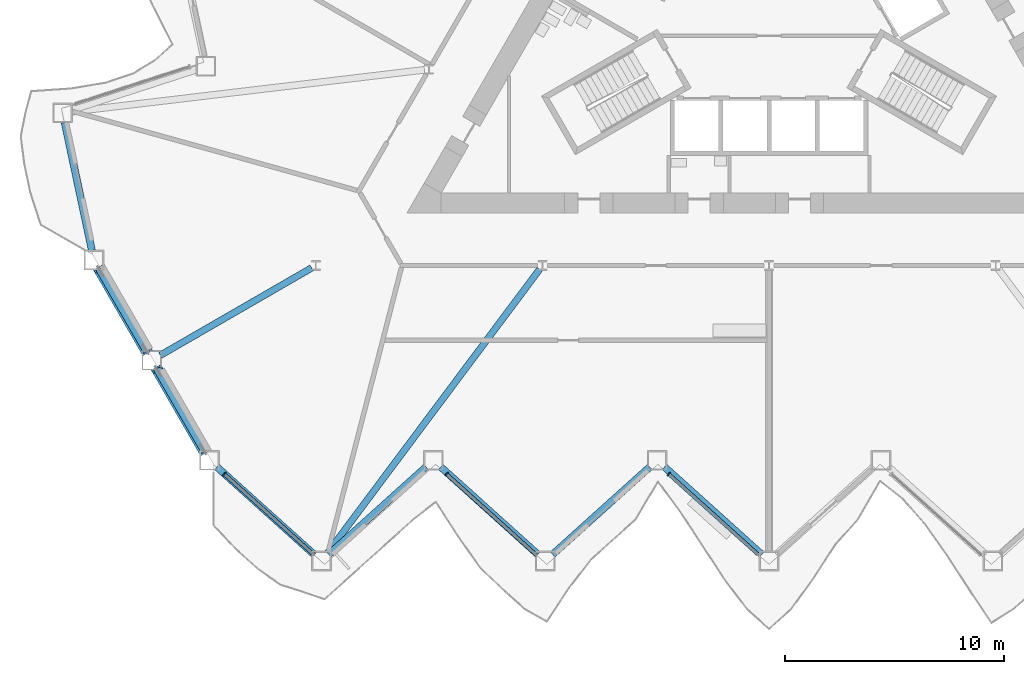
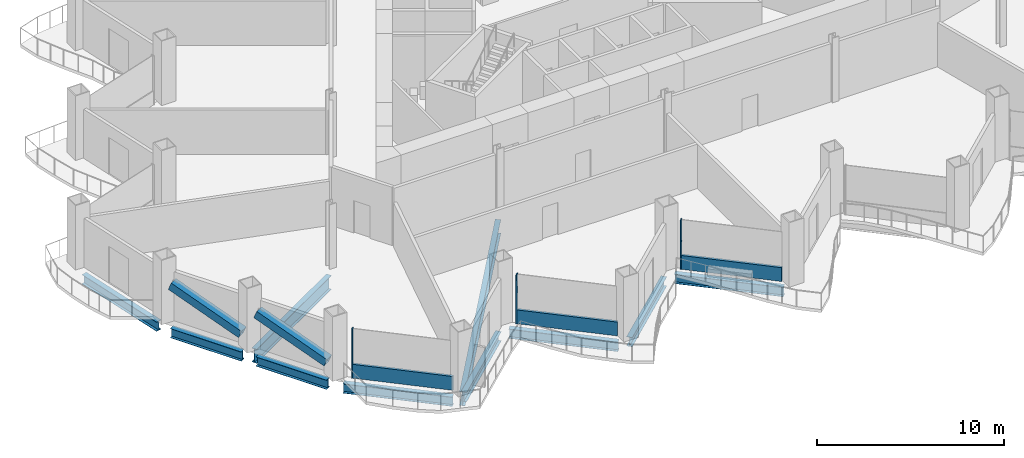
# One storey, part 3 of 21: 10 beams, 8 members, 3 elements without a shape of their own.
"""IFC4 building model written with IfcOpenShell, lengths in metres."""

from ifc_helpers import new_model, si_unit, direction, frame, origin, origin_2d, place, context, subcontext, project, spatial, rectangle, hollow_rectangle, i_section, extrude, material, layer, layer_set, material_profile, profile_set, type_object, element, aggregate, save


model = new_model("IFC4")

# Units and contexts
model_context = context("Model", 3, precision=1e-05, world=origin(), true_north=direction((0.0, 1.0)))
body_context = subcontext(model_context, "Body", "Model", "MODEL_VIEW")
ifc_project = project(units=[si_unit("LENGTHUNIT", "METRE"), si_unit("AREAUNIT", "SQUARE_METRE"), si_unit("VOLUMEUNIT", "CUBIC_METRE"), si_unit("PLANEANGLEUNIT", "RADIAN"), si_unit("MASSUNIT", "GRAM", prefix="KILO")], contexts=[model_context])

# Site, building, storey
site_placement = place(None, origin())
site = spatial("IfcSite", under=ifc_project, at=site_placement, CompositionType="ELEMENT")
building_placement = place(site_placement, origin())
building = spatial("IfcBuilding", under=site, at=building_placement, Name="Cormorant Prow Tower", CompositionType="ELEMENT")
storey_placement = place(building_placement, frame((0.0, 0.0, 141.60009765625)))
storey = spatial("IfcBuildingStorey", under=building, at=storey_placement, Name="L30", CompositionType="ELEMENT", Elevation=141.60009765625)

# Members
ifc_material_1 = material(Name="Structural steel ASTM A500 Gr C", Category="steel")
ifc_material_profile_1 = material_profile(ifc_material_1, hollow_rectangle(XDim=0.508056640625, YDim=0.508056640625, WallThickness=0.014892578125, at=origin_2d()), Name="HSS20x20x5/8")
ifc_profile_set_1 = profile_set([ifc_material_profile_1], Name="Structural steel ASTM A500 Gr C")
member_type_1 = type_object("IfcMemberType", Name="Chamfer brace HSS20x20x5/8", PredefinedType="BRACE", material=ifc_profile_set_1)
for number, where, z_axis, x_axis, name in (
    (1, (-28.368408203125, -15.83837890625, 0.7763671875), (-0.467775966243, 0.810228448064, 0.353150828052), (-0.866029868417, -0.499992266949, 0.0), "Chamfer brace BR1 at WSW00 L30"),
    (2, (-25.733642578125, -20.402099609375, 0.7763671875), (-0.467775966243, 0.810228448064, 0.353150828052), (-0.866029868417, -0.499992266949, 0.0), "Chamfer brace BR1 at WSW01 L30"),
):
    element("IfcMember", number, at=place(storey_placement, frame(where, z_axis=z_axis, x_axis=x_axis)), inside=storey, type_object=member_type_1, Name=name, PredefinedType="BRACE", context=body_context, shape_type="SweptSolid", body=[
        extrude(hollow_rectangle(XDim=0.508056640625, YDim=0.508056640625, WallThickness=0.014892578125, at=origin_2d()), origin(), (0.0, 0.0, 1.0), 4.632568359375),
    ])

# Curtain wall, member
ifc_material_2 = material(Name="Aluminium 6063-T6", Category="aluminium")
ifc_layer = layer(ifc_material_2, 0.199951171875)
ifc_layer_set = layer_set([ifc_layer], Name="Aluminium 6063-T6")
curtain_wall_type = type_object("IfcCurtainWallType", Name="Office unitised curtain wall 200", PredefinedType="NOTDEFINED", material=ifc_layer_set)
curtain_wall_1_placement = place(storey_placement, origin())
curtain_wall_1 = element("IfcCurtainWall", 3, at=curtain_wall_1_placement, inside=storey, type_object=curtain_wall_type, Name="Office curtain wall S00", PredefinedType="NOTDEFINED")
ifc_material_3 = material(Name="Aluminium 6063-T6", Category="aluminium")
ifc_material_profile_2 = material_profile(ifc_material_3, rectangle(XDim=0.199951171875, YDim=0.06005859375, at=origin_2d()), Name="Office mullion 60x200")
ifc_profile_set_2 = profile_set([ifc_material_profile_2], Name="Aluminium 6063-T6")
member_type_2 = type_object("IfcMemberType", Name="Office mullion 60x200", PredefinedType="MULLION", material=ifc_profile_set_2)
member_1_placement = place(storey_placement, frame((-24.82763671875, -21.43359375, 0.0), z_axis=(0.0, 0.0, 1.0), x_axis=(0.669130582818, 0.743144846674, 0.0)))
member_1 = element("IfcMember", 4, at=member_1_placement, type_object=member_type_2, Name="Office mullion S00", PredefinedType="MULLION", context=body_context, shape_type="SweptSolid", body=[
    extrude(rectangle(XDim=0.199951171875, YDim=0.06005859375, at=origin_2d()), origin(), (0.0, 0.0, 1.0), 3.188720703125),
])

curtain_wall_2_placement = place(storey_placement, origin())
curtain_wall_2 = element("IfcCurtainWall", 5, at=curtain_wall_2_placement, inside=storey, type_object=curtain_wall_type, Name="Office curtain wall S02", PredefinedType="NOTDEFINED")
member_2_placement = place(storey_placement, frame((-14.69873046875, -21.43359375, 0.0), z_axis=(0.0, 0.0, 1.0), x_axis=(0.66913050986, 0.743144912366, 0.0)))
member_2 = element("IfcMember", 6, at=member_2_placement, type_object=member_type_2, Name="Office mullion S02", PredefinedType="MULLION", context=body_context, shape_type="SweptSolid", body=[
    extrude(rectangle(XDim=0.199951171875, YDim=0.06005859375, at=origin_2d()), origin(), (0.0, 0.0, 1.0), 3.188720703125),
])

curtain_wall_3_placement = place(storey_placement, origin())
curtain_wall_3 = element("IfcCurtainWall", 7, at=curtain_wall_3_placement, inside=storey, type_object=curtain_wall_type, Name="Office curtain wall S04", PredefinedType="NOTDEFINED")
member_3_placement = place(storey_placement, frame((-4.569580078125, -21.43359375, 0.0), z_axis=(0.0, 0.0, 1.0), x_axis=(0.669130582818, 0.743144846674, 0.0)))
member_3 = element("IfcMember", 8, at=member_3_placement, type_object=member_type_2, Name="Office mullion S04", PredefinedType="MULLION", context=body_context, shape_type="SweptSolid", body=[
    extrude(rectangle(XDim=0.199951171875, YDim=0.06005859375, at=origin_2d()), origin(), (0.0, 0.0, 1.0), 3.188720703125),
])

# Member
ifc_material_4 = material(Name="Terracotta", Category="masonry")
ifc_material_profile_3 = material_profile(ifc_material_4, rectangle(XDim=0.159912109375, YDim=0.89990234375, at=origin_2d()), Name="Office terracotta spandrel rail 160x900")
ifc_profile_set_3 = profile_set([ifc_material_profile_3], Name="Terracotta")
member_type_3 = type_object("IfcMemberType", Name="Office terracotta spandrel rail 160x900", PredefinedType="USERDEFINED", material=ifc_profile_set_3)
member_4_placement = place(storey_placement, frame((-24.805419921875, -21.453857421875, 0.449951171875), z_axis=(0.743161287597, -0.669112322871, 0.0), x_axis=(0.669112322871, 0.743161287597, 0.0)))
member_4 = element("IfcMember", 9, at=member_4_placement, type_object=member_type_3, Name="Office spandrel rail S00", ObjectType="TRANSOM", PredefinedType="USERDEFINED", context=body_context, shape_type="SweptSolid", body=[
    extrude(rectangle(XDim=0.159912109375, YDim=0.89990234375, at=origin_2d()), origin(), (0.0, 0.0, 1.0), 5.48291015625),
])

aggregate(curtain_wall_1, [member_1, member_4])

member_5_placement = place(storey_placement, frame((-14.67626953125, -21.453857421875, 0.449951171875), z_axis=(0.743161287597, -0.669112322871, 0.0), x_axis=(0.669112322871, 0.743161287597, 0.0)))
member_5 = element("IfcMember", 10, at=member_5_placement, type_object=member_type_3, Name="Office spandrel rail S02", ObjectType="TRANSOM", PredefinedType="USERDEFINED", context=body_context, shape_type="SweptSolid", body=[
    extrude(rectangle(XDim=0.159912109375, YDim=0.89990234375, at=origin_2d()), origin(), (0.0, 0.0, 1.0), 5.48291015625),
])

aggregate(curtain_wall_2, [member_2, member_5])

member_6_placement = place(storey_placement, frame((-4.54736328125, -21.453857421875, 0.449951171875), z_axis=(0.743161287597, -0.669112322871, 0.0), x_axis=(0.669112322871, 0.743161287597, 0.0)))
member_6 = element("IfcMember", 11, at=member_6_placement, type_object=member_type_3, Name="Office spandrel rail S04", ObjectType="TRANSOM", PredefinedType="USERDEFINED", context=body_context, shape_type="SweptSolid", body=[
    extrude(rectangle(XDim=0.159912109375, YDim=0.89990234375, at=origin_2d()), origin(), (0.0, 0.0, 1.0), 5.48291015625),
])

aggregate(curtain_wall_3, [member_3, member_6])

# Beams
ifc_material_5 = material(Name="Structural steel ASTM A992 Gr 50", Category="steel")
ifc_material_profile_4 = material_profile(ifc_material_5, i_section(OverallWidth=0.3046875, OverallDepth=0.914794921875, WebThickness=0.0166015625, FlangeThickness=0.02587890625, at=origin_2d()), Name="W36x160")
ifc_profile_set_4 = profile_set([ifc_material_profile_4], Name="Structural steel ASTM A992 Gr 50")
beam_type_1 = type_object("IfcBeamType", Name="Radial floor beam W36x160", PredefinedType="BEAM", material=ifc_profile_set_4)
beam_1_placement = place(storey_placement, frame((-20.84521484375, -12.034912109375, -0.857421875), z_axis=(-0.866018715534, -0.50001158421, 0.0), x_axis=(0.50001158421, -0.866018715534, 0.0)))
element("IfcBeam", 12, at=beam_1_placement, inside=storey, type_object=beam_type_1, Name="Radial floor beam FB1 5 L30", PredefinedType="BEAM", context=body_context, shape_type="SweptSolid", body=[
    extrude(i_section(OverallWidth=0.3046875, OverallDepth=0.914794921875, WebThickness=0.0166015625, FlangeThickness=0.02587890625, at=origin_2d()), origin(), (0.0, 0.0, 1.0), 7.967041015625),
])
beam_2_placement = place(storey_placement, frame((-10.458740234375, -12.100341796875, -0.857421875), z_axis=(-0.598722444929, -0.800956574315, 0.0), x_axis=(0.800956574315, -0.598722444929, 0.0)))
element("IfcBeam", 13, at=beam_2_placement, inside=storey, type_object=beam_type_1, Name="Radial floor beam FB1 6 L30", PredefinedType="BEAM", context=body_context, shape_type="SweptSolid", body=[
    extrude(i_section(OverallWidth=0.3046875, OverallDepth=0.914794921875, WebThickness=0.0166015625, FlangeThickness=0.02587890625, at=origin_2d()), origin(), (0.0, 0.0, 1.0), 16.15380859375),
])
ifc_material_6 = material(Name="Structural steel ASTM A992 Gr 50", Category="steel")
ifc_material_profile_5 = material_profile(ifc_material_6, i_section(OverallWidth=0.32373046875, OverallDepth=0.611083984375, WebThickness=0.0126953125, FlangeThickness=0.01904296875, at=origin_2d()), Name="W24x104")
ifc_profile_set_5 = profile_set([ifc_material_profile_5], Name="Structural steel ASTM A992 Gr 50")
beam_type_2 = type_object("IfcBeamType", Name="Spandrel beam W24x104", PredefinedType="SPANDREL", material=ifc_profile_set_5)
for number, where, z_axis, x_axis, name in (
    (14, (-25.165283203125, -21.108154296875, -0.70556640625), (0.743131253571, -0.66914567918, 0.0), (0.66914567918, 0.743131253571, 0.0), "Spandrel beam SB1 S00-S01 L30"),
    (15, (-20.0654296875, -25.09814453125, -0.70556640625), (0.743131253571, 0.66914567918, 0.0), (-0.66914567918, 0.743131253571, 0.0), "Spandrel beam SB1 S01-S02 L30"),
    (16, (-14.96533203125, -21.108154296875, -0.70556640625), (0.743131253571, -0.66914567918, 0.0), (0.66914567918, 0.743131253571, 0.0), "Spandrel beam SB1 S02-S03 L30"),
    (17, (-9.865478515625, -25.09814453125, -0.70556640625), (0.743131253571, 0.66914567918, 0.0), (-0.66914567918, 0.743131253571, 0.0), "Spandrel beam SB1 S03-S04 L30"),
    (18, (-4.765625, -21.108154296875, -0.70556640625), (0.743131253571, -0.66914567918, 0.0), (0.66914567918, 0.743131253571, 0.0), "Spandrel beam SB1 S04-S05 L30"),
    (19, (-32.1025390625, -5.4072265625, -0.70556640625), (0.207912620873, -0.978147403044, 0.0), (0.978147403044, 0.207912620873, 0.0), "Spandrel beam SB1 WNW09-WSW00 L30"),
):
    element("IfcBeam", number, at=place(storey_placement, frame(where, z_axis=z_axis, x_axis=x_axis)), inside=storey, type_object=beam_type_2, Name=name, PredefinedType="SPANDREL", context=body_context, shape_type="SweptSolid", body=[
        extrude(i_section(OverallWidth=0.32373046875, OverallDepth=0.611083984375, WebThickness=0.0126953125, FlangeThickness=0.01904296875, at=origin_2d()), origin(), (0.0, 0.0, 1.0), 5.962890625),
    ])
for number, where, z_axis, x_axis, name in (
    (20, (-30.54443359375, -12.069580078125, -0.70556640625), (0.500002967982, -0.866023690213, 0.0), (0.866023690213, 0.500002967982, 0.0), "Spandrel beam SB1 WSW00-WSW01 L30"),
    (21, (-27.909423828125, -16.63330078125, -0.70556640625), (0.500002967982, -0.866023690213, 0.0), (0.866023690213, 0.500002967982, 0.0), "Spandrel beam SB1 WSW01-S00 L30"),
):
    element("IfcBeam", number, at=place(storey_placement, frame(where, z_axis=z_axis, x_axis=x_axis)), inside=storey, type_object=beam_type_2, Name=name, PredefinedType="SPANDREL", context=body_context, shape_type="SweptSolid", body=[
        extrude(i_section(OverallWidth=0.32373046875, OverallDepth=0.611083984375, WebThickness=0.0126953125, FlangeThickness=0.01904296875, at=origin_2d()), origin(), (0.0, 0.0, 1.0), 4.36962890625),
    ])

save(model, "model.ifc")
